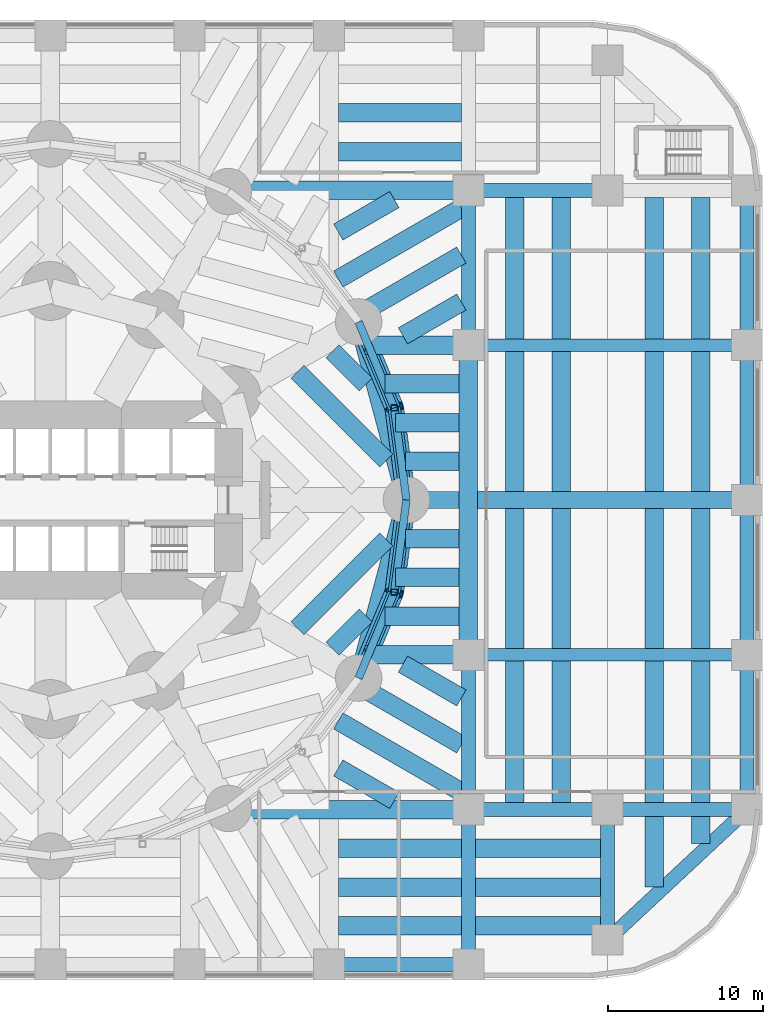
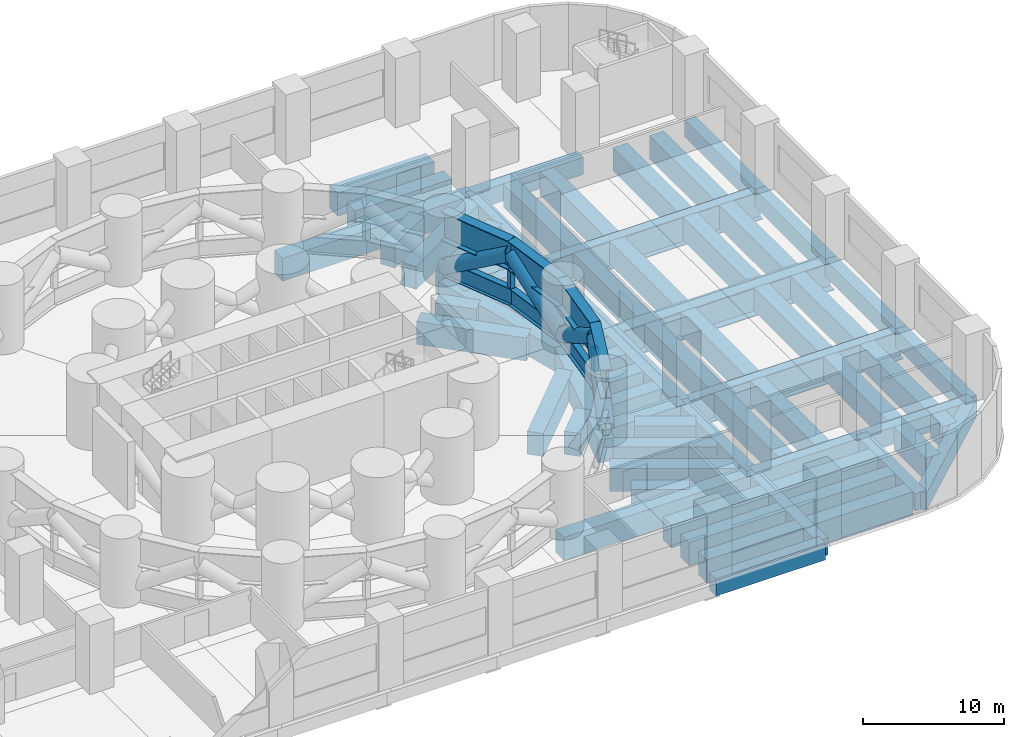
# One storey, part 6 of 14: 75 beams, 6 members.
"""IFC4 building model written with IfcOpenShell, lengths in metres."""

from ifc_helpers import new_model, si_unit, direction, frame, origin, origin_2d, place, context, subcontext, project, spatial, rectangle, hollow_rectangle, hollow_circle, i_section, extrude, material, material_profile, profile_set, type_object, element, save


model = new_model("IFC4")

# Units and contexts
model_context = context("Model", 3, precision=1e-05, world=origin(), true_north=direction((0.0, 1.0)))
body_context = subcontext(model_context, "Body", "Model", "MODEL_VIEW")
ifc_project = project(units=[si_unit("LENGTHUNIT", "METRE"), si_unit("AREAUNIT", "SQUARE_METRE"), si_unit("VOLUMEUNIT", "CUBIC_METRE"), si_unit("PLANEANGLEUNIT", "RADIAN"), si_unit("MASSUNIT", "GRAM", prefix="KILO")], contexts=[model_context])

# Site, building, storey
site_placement = place(None, origin())
site = spatial("IfcSite", under=ifc_project, at=site_placement, CompositionType="ELEMENT")
building_placement = place(site_placement, origin())
building = spatial("IfcBuilding", under=site, at=building_placement, Name="Qaws Media Tower", CompositionType="ELEMENT")
storey_placement = place(building_placement, frame((0.0, 0.0, 20.0)))
storey = spatial("IfcBuildingStorey", under=building, at=storey_placement, Name="L03", CompositionType="ELEMENT", Elevation=20.0)

# Beams
ifc_material_1 = material(Name="Concrete C60/75", Category="concrete")
ifc_material_profile_1 = material_profile(ifc_material_1, rectangle(XDim=1.199951171875, YDim=2.0, at=origin_2d()), Name="RC 1200x2000")
ifc_profile_set_1 = profile_set([ifc_material_profile_1], Name="Concrete C60/75")
beam_type_1 = type_object("IfcBeamType", Name="Podium long trimmer beam RC 1200x2000", PredefinedType="BEAM", material=ifc_profile_set_1)
for number, where, z_axis, x_axis, name in (
    (1, (87.0, 30.0, -1.300048828125), (-1.0, 0.0, 0.0), (0.0, -1.0, 0.0), "PB11 beam 9/B to the tower ring"),
    (2, (87.0, 70.0, -1.300048828125), (-1.0, 0.0, 0.0), (0.0, -1.0, 0.0), "PB11 beam 9/F to the tower ring"),
):
    element("IfcBeam", number, at=place(storey_placement, frame(where, z_axis=z_axis, x_axis=x_axis)), inside=storey, type_object=beam_type_1, Name=name, PredefinedType="BEAM", context=body_context, shape_type="SweptSolid", body=[
        extrude(rectangle(XDim=1.199951171875, YDim=2.0, at=origin_2d()), origin(), (0.0, 0.0, 1.0), 15.803955078125),
    ])
beam_1_placement = place(storey_placement, frame((87.0, 40.0, -1.300048828125), z_axis=(0.0, 1.0, 0.0), x_axis=(-1.0, 0.0, 0.0)))
element("IfcBeam", 3, at=beam_1_placement, inside=storey, type_object=beam_type_1, Name="PB11 beam 9/C-9/E", PredefinedType="BEAM", context=body_context, shape_type="SweptSolid", body=[
    extrude(rectangle(XDim=1.199951171875, YDim=2.0, at=origin_2d()), origin(), (0.0, 0.0, 1.0), 20.0),
])
ifc_material_2 = material(Name="Concrete C60/75", Category="concrete")
ifc_material_profile_2 = material_profile(ifc_material_2, rectangle(XDim=1.199951171875, YDim=2.0, at=origin_2d()), Name="RC 1200x2000")
ifc_profile_set_2 = profile_set([ifc_material_profile_2], Name="Concrete C60/75")
beam_type_2 = type_object("IfcBeamType", Name="Podium plant floor edge beam RC 1200x2000", PredefinedType="BEAM", material=ifc_profile_set_2)
for number, where, z_axis, x_axis, name in (
    (4, (83.0, 50.0, -1.300048828125), (-0.258809885148, 0.965928280645, 0.0), (-0.965928280645, -0.258809885148, 0.0), "PB12 beam M01-M02"),
    (5, (79.918701171875, 38.5, -1.300048828125), (0.258809885148, 0.965928280645, 0.0), (-0.965928280645, 0.258809885148, 0.0), "PB12 beam M12-M01"),
):
    element("IfcBeam", number, at=place(storey_placement, frame(where, z_axis=z_axis, x_axis=x_axis)), inside=storey, type_object=beam_type_2, Name=name, PredefinedType="BEAM", context=body_context, shape_type="SweptSolid", body=[
        extrude(rectangle(XDim=1.199951171875, YDim=2.0, at=origin_2d()), origin(), (0.0, 0.0, 1.0), 11.90576171875),
    ])
ifc_material_3 = material(Name="Concrete C60/75", Category="concrete")
ifc_material_profile_3 = material_profile(ifc_material_3, rectangle(XDim=0.89990234375, YDim=1.5, at=origin_2d()), Name="RC 900x1500")
ifc_profile_set_3 = profile_set([ifc_material_profile_3], Name="Concrete C60/75")
beam_type_3 = type_object("IfcBeamType", Name="Podium plant floor girder RC 900x1500", PredefinedType="BEAM", material=ifc_profile_set_3)
for number, where, z_axis, x_axis, name in (
    (6, (78.0, 20.0, -1.050048828125), (1.0, 0.0, 0.0), (0.0, 1.0, 0.0), "PB6 beam 8-9/A"),
    (7, (87.0, 30.0, -1.050048828125), (1.0, 0.0, 0.0), (0.0, 1.0, 0.0), "PB6 beam 9-10/B"),
    (8, (96.0, 30.0, -1.050048828125), (1.0, 0.0, 0.0), (0.0, 1.0, 0.0), "PB6 beam 10-11/B"),
    (9, (87.0, 70.0, -1.050048828125), (1.0, 0.0, 0.0), (0.0, 1.0, 0.0), "PB6 beam 9-10/F"),
):
    element("IfcBeam", number, at=place(storey_placement, frame(where, z_axis=z_axis, x_axis=x_axis)), inside=storey, type_object=beam_type_3, Name=name, PredefinedType="BEAM", context=body_context, shape_type="SweptSolid", body=[
        extrude(rectangle(XDim=0.89990234375, YDim=1.5, at=origin_2d()), origin(), (0.0, 0.0, 1.0), 9.0),
    ])
for number, where, z_axis, x_axis, name in (
    (10, (87.0, 20.0, -1.050048828125), (0.0, 1.0, 0.0), (-1.0, 0.0, 0.0), "PB6 beam 9/A-B"),
    (11, (87.0, 30.0, -1.050048828125), (0.0, 1.0, 0.0), (-1.0, 0.0, 0.0), "PB6 beam 9/B-C"),
    (12, (87.0, 60.0, -1.050048828125), (0.0, 1.0, 0.0), (-1.0, 0.0, 0.0), "PB6 beam 9/E-F"),
):
    element("IfcBeam", number, at=place(storey_placement, frame(where, z_axis=z_axis, x_axis=x_axis)), inside=storey, type_object=beam_type_3, Name=name, PredefinedType="BEAM", context=body_context, shape_type="SweptSolid", body=[
        extrude(rectangle(XDim=0.89990234375, YDim=1.5, at=origin_2d()), origin(), (0.0, 0.0, 1.0), 10.0),
    ])
beam_2_placement = place(storey_placement, frame((96.0, 21.60009765625, -1.050048828125), z_axis=(0.0, 1.0, 0.0), x_axis=(-1.0, 0.0, 0.0)))
element("IfcBeam", 13, at=beam_2_placement, inside=storey, type_object=beam_type_3, Name="PB6 beam 10/A-B", PredefinedType="BEAM", context=body_context, shape_type="SweptSolid", body=[
    extrude(rectangle(XDim=0.89990234375, YDim=1.5, at=origin_2d()), origin(), (0.0, 0.0, 1.0), 8.39990234375),
])
for number, where, z_axis, x_axis, name in (
    (14, (105.0, 30.0, -1.050048828125), (0.0, 1.0, 0.0), (-1.0, 0.0, 0.0), "PB6 beam 11/B-C"),
    (15, (105.0, 40.0, -1.050048828125), (0.0, 1.0, 0.0), (-1.0, 0.0, 0.0), "PB6 beam 11/C-D"),
    (16, (105.0, 50.0, -1.050048828125), (0.0, 1.0, 0.0), (-1.0, 0.0, 0.0), "PB6 beam 11/D-E"),
    (17, (105.0, 60.0, -1.050048828125), (0.0, 1.0, 0.0), (-1.0, 0.0, 0.0), "PB6 beam 11/E-F"),
):
    element("IfcBeam", number, at=place(storey_placement, frame(where, z_axis=z_axis, x_axis=x_axis)), inside=storey, type_object=beam_type_3, Name=name, PredefinedType="BEAM", context=body_context, shape_type="SweptSolid", body=[
        extrude(rectangle(XDim=0.89990234375, YDim=1.5, at=origin_2d()), origin(), (0.0, 0.0, 1.0), 10.0),
    ])
beam_3_placement = place(storey_placement, frame((105.0, 30.0, -1.050048828125), z_axis=(-0.73105922506, -0.682314010889, 0.0), x_axis=(0.682314010889, -0.73105922506, 0.0)))
element("IfcBeam", 18, at=beam_3_placement, inside=storey, type_object=beam_type_3, Name="PB6 beam 11/B-10/A", PredefinedType="BEAM", context=body_context, shape_type="SweptSolid", body=[
    extrude(rectangle(XDim=0.89990234375, YDim=1.5, at=origin_2d()), origin(), (0.0, 0.0, 1.0), 12.310791015625),
])
ifc_material_4 = material(Name="Concrete C60/75", Category="concrete")
ifc_material_profile_4 = material_profile(ifc_material_4, rectangle(XDim=1.199951171875, YDim=2.0, at=origin_2d()), Name="RC 1200x2000")
ifc_profile_set_4 = profile_set([ifc_material_profile_4], Name="Concrete C60/75")
beam_type_4 = type_object("IfcBeamType", Name="Podium secondary beam RC 1200x2000", PredefinedType="BEAM", material=ifc_profile_set_4)
for number, where, z_axis, x_axis, name in (
    (19, (78.60009765625, 22.5, -1.300048828125), (1.0, 0.0, 0.0), (0.0, 1.0, 0.0), "PB7 beam bay 8A line 1"),
    (20, (78.60009765625, 25.0, -1.300048828125), (1.0, 0.0, 0.0), (0.0, 1.0, 0.0), "PB7 beam bay 8A line 2"),
    (21, (78.60009765625, 27.5, -1.300048828125), (1.0, 0.0, 0.0), (0.0, 1.0, 0.0), "PB7 beam bay 8A line 3"),
):
    element("IfcBeam", number, at=place(storey_placement, frame(where, z_axis=z_axis, x_axis=x_axis)), inside=storey, type_object=beam_type_4, Name=name, PredefinedType="BEAM", context=body_context, shape_type="SweptSolid", body=[
        extrude(rectangle(XDim=1.199951171875, YDim=2.0, at=origin_2d()), origin(), (0.0, 0.0, 1.0), 7.949951171875),
    ])
beam_4_placement = place(storey_placement, frame((86.550048828125, 37.220458984375, -1.300048828125), z_axis=(-0.866025157913, 0.500000425862, 0.0), x_axis=(-0.500000425862, -0.866025157913, 0.0)))
element("IfcBeam", 22, at=beam_4_placement, inside=storey, type_object=beam_type_4, Name="PB7 beam bay 8B line 1", PredefinedType="BEAM", context=body_context, shape_type="SweptSolid", body=[
    extrude(rectangle(XDim=1.199951171875, YDim=2.0, at=origin_2d()), origin(), (0.0, 0.0, 1.0), 4.35888671875),
])
beam_5_placement = place(storey_placement, frame((86.550048828125, 34.181396484375, -1.300048828125), z_axis=(-0.866032193116, 0.499988240348, 0.0), x_axis=(-0.499988240348, -0.866032193116, 0.0)))
element("IfcBeam", 23, at=beam_5_placement, inside=storey, type_object=beam_type_4, Name="PB7 beam bay 8B line 2", PredefinedType="BEAM", context=body_context, shape_type="SweptSolid", body=[
    extrude(rectangle(XDim=1.199951171875, YDim=2.0, at=origin_2d()), origin(), (0.0, 0.0, 1.0), 7.394775390625),
])
beam_6_placement = place(storey_placement, frame((86.550048828125, 31.14208984375, -1.300048828125), z_axis=(-0.866028361304, 0.499994877392, 0.0), x_axis=(-0.499994877392, -0.866028361304, 0.0)))
element("IfcBeam", 24, at=beam_6_placement, inside=storey, type_object=beam_type_4, Name="PB7 beam bay 8B line 3", PredefinedType="BEAM", context=body_context, shape_type="SweptSolid", body=[
    extrude(rectangle(XDim=1.199951171875, YDim=2.0, at=origin_2d()), origin(), (0.0, 0.0, 1.0), 9.1796875),
])
beam_7_placement = place(storey_placement, frame((82.224853515625, 30.60009765625, -1.300048828125), z_axis=(-0.866023369196, 0.500003523994, 0.0), x_axis=(-0.500003523994, -0.866023369196, 0.0)))
element("IfcBeam", 25, at=beam_7_placement, inside=storey, type_object=beam_type_4, Name="PB7 beam bay 8B line 4", PredefinedType="BEAM", context=body_context, shape_type="SweptSolid", body=[
    extrude(rectangle(XDim=1.199951171875, YDim=2.0, at=origin_2d()), origin(), (0.0, 0.0, 1.0), 4.185546875),
])
beam_8_placement = place(storey_placement, frame((81.611572265625, 42.5, -1.300048828125), z_axis=(1.0, 0.0, 0.0), x_axis=(0.0, 1.0, 0.0)))
element("IfcBeam", 26, at=beam_8_placement, inside=storey, type_object=beam_type_4, Name="PB7 beam bay 8C line 1", PredefinedType="BEAM", context=body_context, shape_type="SweptSolid", body=[
    extrude(rectangle(XDim=1.199951171875, YDim=2.0, at=origin_2d()), origin(), (0.0, 0.0, 1.0), 4.788330078125),
])
beam_9_placement = place(storey_placement, frame((82.281494140625, 45.0, -1.300048828125), z_axis=(1.0, 0.0, 0.0), x_axis=(0.0, 1.0, 0.0)))
element("IfcBeam", 27, at=beam_9_placement, inside=storey, type_object=beam_type_4, Name="PB7 beam bay 8C line 2", PredefinedType="BEAM", context=body_context, shape_type="SweptSolid", body=[
    extrude(rectangle(XDim=1.199951171875, YDim=2.0, at=origin_2d()), origin(), (0.0, 0.0, 1.0), 4.118408203125),
])
for number, where, z_axis, x_axis, name in (
    (28, (82.951171875, 47.5, -1.300048828125), (1.0, 0.0, 0.0), (0.0, 1.0, 0.0), "PB7 beam bay 8C line 3"),
    (29, (82.951171875, 52.5, -1.300048828125), (1.0, 0.0, 0.0), (0.0, 1.0, 0.0), "PB7 beam bay 8D line 1"),
):
    element("IfcBeam", number, at=place(storey_placement, frame(where, z_axis=z_axis, x_axis=x_axis)), inside=storey, type_object=beam_type_4, Name=name, PredefinedType="BEAM", context=body_context, shape_type="SweptSolid", body=[
        extrude(rectangle(XDim=1.199951171875, YDim=2.0, at=origin_2d()), origin(), (0.0, 0.0, 1.0), 3.44873046875),
    ])
beam_10_placement = place(storey_placement, frame((82.281494140625, 55.0, -1.300048828125), z_axis=(1.0, 0.0, 0.0), x_axis=(0.0, 1.0, 0.0)))
element("IfcBeam", 30, at=beam_10_placement, inside=storey, type_object=beam_type_4, Name="PB7 beam bay 8D line 2", PredefinedType="BEAM", context=body_context, shape_type="SweptSolid", body=[
    extrude(rectangle(XDim=1.199951171875, YDim=2.0, at=origin_2d()), origin(), (0.0, 0.0, 1.0), 4.118408203125),
])
beam_11_placement = place(storey_placement, frame((81.611572265625, 57.5, -1.300048828125), z_axis=(1.0, 0.0, 0.0), x_axis=(0.0, 1.0, 0.0)))
element("IfcBeam", 31, at=beam_11_placement, inside=storey, type_object=beam_type_4, Name="PB7 beam bay 8D line 3", PredefinedType="BEAM", context=body_context, shape_type="SweptSolid", body=[
    extrude(rectangle(XDim=1.199951171875, YDim=2.0, at=origin_2d()), origin(), (0.0, 0.0, 1.0), 4.788330078125),
])
beam_12_placement = place(storey_placement, frame((82.775146484375, 60.60009765625, -1.300048828125), z_axis=(0.866025157913, 0.500000425862, 0.0), x_axis=(-0.500000425862, 0.866025157913, 0.0)))
element("IfcBeam", 32, at=beam_12_placement, inside=storey, type_object=beam_type_4, Name="PB7 beam bay 8E line 1", PredefinedType="BEAM", context=body_context, shape_type="SweptSolid", body=[
    extrude(rectangle(XDim=1.199951171875, YDim=2.0, at=origin_2d()), origin(), (0.0, 0.0, 1.0), 4.35888671875),
])
beam_13_placement = place(storey_placement, frame((80.14599609375, 62.121337890625, -1.300048828125), z_axis=(0.866032193116, 0.499988240348, 0.0), x_axis=(-0.499988240348, 0.866032193116, 0.0)))
element("IfcBeam", 33, at=beam_13_placement, inside=storey, type_object=beam_type_4, Name="PB7 beam bay 8E line 2", PredefinedType="BEAM", context=body_context, shape_type="SweptSolid", body=[
    extrude(rectangle(XDim=1.199951171875, YDim=2.0, at=origin_2d()), origin(), (0.0, 0.0, 1.0), 7.394775390625),
])
beam_14_placement = place(storey_placement, frame((78.60009765625, 64.26806640625, -1.300048828125), z_axis=(0.866028361304, 0.499994877392, 0.0), x_axis=(-0.499994877392, 0.866028361304, 0.0)))
element("IfcBeam", 34, at=beam_14_placement, inside=storey, type_object=beam_type_4, Name="PB7 beam bay 8E line 3", PredefinedType="BEAM", context=body_context, shape_type="SweptSolid", body=[
    extrude(rectangle(XDim=1.199951171875, YDim=2.0, at=origin_2d()), origin(), (0.0, 0.0, 1.0), 9.1796875),
])
beam_15_placement = place(storey_placement, frame((78.60009765625, 67.30712890625, -1.300048828125), z_axis=(0.866023369196, 0.500003523994, 0.0), x_axis=(-0.500003523994, 0.866023369196, 0.0)))
element("IfcBeam", 35, at=beam_15_placement, inside=storey, type_object=beam_type_4, Name="PB7 beam bay 8E line 4", PredefinedType="BEAM", context=body_context, shape_type="SweptSolid", body=[
    extrude(rectangle(XDim=1.199951171875, YDim=2.0, at=origin_2d()), origin(), (0.0, 0.0, 1.0), 4.185546875),
])
for number, where, z_axis, x_axis, name in (
    (36, (78.60009765625, 72.5, -1.300048828125), (1.0, 0.0, 0.0), (0.0, 1.0, 0.0), "PB7 beam bay 8F line 1"),
    (37, (78.60009765625, 75.0, -1.300048828125), (1.0, 0.0, 0.0), (0.0, 1.0, 0.0), "PB7 beam bay 8F line 2"),
):
    element("IfcBeam", number, at=place(storey_placement, frame(where, z_axis=z_axis, x_axis=x_axis)), inside=storey, type_object=beam_type_4, Name=name, PredefinedType="BEAM", context=body_context, shape_type="SweptSolid", body=[
        extrude(rectangle(XDim=1.199951171875, YDim=2.0, at=origin_2d()), origin(), (0.0, 0.0, 1.0), 7.949951171875),
    ])
for number, where, z_axis, x_axis, name in (
    (38, (87.449951171875, 22.5, -1.300048828125), (1.0, 0.0, 0.0), (0.0, 1.0, 0.0), "PB7 beam bay 9A line 1"),
    (39, (87.449951171875, 25.0, -1.300048828125), (1.0, 0.0, 0.0), (0.0, 1.0, 0.0), "PB7 beam bay 9A line 2"),
    (40, (87.449951171875, 27.5, -1.300048828125), (1.0, 0.0, 0.0), (0.0, 1.0, 0.0), "PB7 beam bay 9A line 3"),
):
    element("IfcBeam", number, at=place(storey_placement, frame(where, z_axis=z_axis, x_axis=x_axis)), inside=storey, type_object=beam_type_4, Name=name, PredefinedType="BEAM", context=body_context, shape_type="SweptSolid", body=[
        extrude(rectangle(XDim=1.199951171875, YDim=2.0, at=origin_2d()), origin(), (0.0, 0.0, 1.0), 8.10009765625),
    ])
for number, where, z_axis, x_axis, name in (
    (41, (93.0, 30.449951171875, -1.300048828125), (0.0, 1.0, 0.0), (-1.0, 0.0, 0.0), "PB7 beam bay 9B line 1"),
    (42, (90.0, 30.449951171875, -1.300048828125), (0.0, 1.0, 0.0), (-1.0, 0.0, 0.0), "PB7 beam bay 9B line 2"),
):
    element("IfcBeam", number, at=place(storey_placement, frame(where, z_axis=z_axis, x_axis=x_axis)), inside=storey, type_object=beam_type_4, Name=name, PredefinedType="BEAM", context=body_context, shape_type="SweptSolid", body=[
        extrude(rectangle(XDim=1.199951171875, YDim=2.0, at=origin_2d()), origin(), (0.0, 0.0, 1.0), 9.150146484375),
    ])
for number, where, z_axis, x_axis, name in (
    (43, (93.0, 40.39990234375, -1.300048828125), (0.0, 1.0, 0.0), (-1.0, 0.0, 0.0), "PB7 beam bay 9C line 1"),
    (44, (90.0, 40.39990234375, -1.300048828125), (0.0, 1.0, 0.0), (-1.0, 0.0, 0.0), "PB7 beam bay 9C line 2"),
    (45, (93.0, 50.550048828125, -1.300048828125), (0.0, 1.0, 0.0), (-1.0, 0.0, 0.0), "PB7 beam bay 9D line 1"),
    (46, (90.0, 50.550048828125, -1.300048828125), (0.0, 1.0, 0.0), (-1.0, 0.0, 0.0), "PB7 beam bay 9D line 2"),
):
    element("IfcBeam", number, at=place(storey_placement, frame(where, z_axis=z_axis, x_axis=x_axis)), inside=storey, type_object=beam_type_4, Name=name, PredefinedType="BEAM", context=body_context, shape_type="SweptSolid", body=[
        extrude(rectangle(XDim=1.199951171875, YDim=2.0, at=origin_2d()), origin(), (0.0, 0.0, 1.0), 9.050048828125),
    ])
for number, where, z_axis, x_axis, name in (
    (47, (93.0, 60.39990234375, -1.300048828125), (0.0, 1.0, 0.0), (-1.0, 0.0, 0.0), "PB7 beam bay 9E line 1"),
    (48, (90.0, 60.39990234375, -1.300048828125), (0.0, 1.0, 0.0), (-1.0, 0.0, 0.0), "PB7 beam bay 9E line 2"),
):
    element("IfcBeam", number, at=place(storey_placement, frame(where, z_axis=z_axis, x_axis=x_axis)), inside=storey, type_object=beam_type_4, Name=name, PredefinedType="BEAM", context=body_context, shape_type="SweptSolid", body=[
        extrude(rectangle(XDim=1.199951171875, YDim=2.0, at=origin_2d()), origin(), (0.0, 0.0, 1.0), 9.150146484375),
    ])
beam_16_placement = place(storey_placement, frame((102.0, 27.8154296875, -1.300048828125), z_axis=(0.0, 1.0, 0.0), x_axis=(-1.0, 0.0, 0.0)))
element("IfcBeam", 49, at=beam_16_placement, inside=storey, type_object=beam_type_4, Name="PB7 beam bay 10A line 1", PredefinedType="BEAM", context=body_context, shape_type="SweptSolid", body=[
    extrude(rectangle(XDim=1.199951171875, YDim=2.0, at=origin_2d()), origin(), (0.0, 0.0, 1.0), 1.734619140625),
])
beam_17_placement = place(storey_placement, frame((99.0, 25.015625, -1.300048828125), z_axis=(0.0, 1.0, 0.0), x_axis=(-1.0, 0.0, 0.0)))
element("IfcBeam", 50, at=beam_17_placement, inside=storey, type_object=beam_type_4, Name="PB7 beam bay 10A line 2", PredefinedType="BEAM", context=body_context, shape_type="SweptSolid", body=[
    extrude(rectangle(XDim=1.199951171875, YDim=2.0, at=origin_2d()), origin(), (0.0, 0.0, 1.0), 4.534423828125),
])
for number, where, z_axis, x_axis, name in (
    (51, (102.0, 30.449951171875, -1.300048828125), (0.0, 1.0, 0.0), (-1.0, 0.0, 0.0), "PB7 beam bay 10B line 1"),
    (52, (99.0, 30.449951171875, -1.300048828125), (0.0, 1.0, 0.0), (-1.0, 0.0, 0.0), "PB7 beam bay 10B line 2"),
):
    element("IfcBeam", number, at=place(storey_placement, frame(where, z_axis=z_axis, x_axis=x_axis)), inside=storey, type_object=beam_type_4, Name=name, PredefinedType="BEAM", context=body_context, shape_type="SweptSolid", body=[
        extrude(rectangle(XDim=1.199951171875, YDim=2.0, at=origin_2d()), origin(), (0.0, 0.0, 1.0), 9.150146484375),
    ])
for number, where, z_axis, x_axis, name in (
    (53, (102.0, 40.39990234375, -1.300048828125), (0.0, 1.0, 0.0), (-1.0, 0.0, 0.0), "PB7 beam bay 10C line 1"),
    (54, (99.0, 40.39990234375, -1.300048828125), (0.0, 1.0, 0.0), (-1.0, 0.0, 0.0), "PB7 beam bay 10C line 2"),
    (55, (102.0, 50.550048828125, -1.300048828125), (0.0, 1.0, 0.0), (-1.0, 0.0, 0.0), "PB7 beam bay 10D line 1"),
    (56, (99.0, 50.550048828125, -1.300048828125), (0.0, 1.0, 0.0), (-1.0, 0.0, 0.0), "PB7 beam bay 10D line 2"),
):
    element("IfcBeam", number, at=place(storey_placement, frame(where, z_axis=z_axis, x_axis=x_axis)), inside=storey, type_object=beam_type_4, Name=name, PredefinedType="BEAM", context=body_context, shape_type="SweptSolid", body=[
        extrude(rectangle(XDim=1.199951171875, YDim=2.0, at=origin_2d()), origin(), (0.0, 0.0, 1.0), 9.050048828125),
    ])
for number, where, z_axis, x_axis, name in (
    (57, (102.0, 60.39990234375, -1.300048828125), (0.0, 1.0, 0.0), (-1.0, 0.0, 0.0), "PB7 beam bay 10E line 1"),
    (58, (99.0, 60.39990234375, -1.300048828125), (0.0, 1.0, 0.0), (-1.0, 0.0, 0.0), "PB7 beam bay 10E line 2"),
):
    element("IfcBeam", number, at=place(storey_placement, frame(where, z_axis=z_axis, x_axis=x_axis)), inside=storey, type_object=beam_type_4, Name=name, PredefinedType="BEAM", context=body_context, shape_type="SweptSolid", body=[
        extrude(rectangle(XDim=1.199951171875, YDim=2.0, at=origin_2d()), origin(), (0.0, 0.0, 1.0), 9.150146484375),
    ])
beam_18_placement = place(storey_placement, frame((80.3818359375, 57.453125, -1.300048828125), z_axis=(-0.707146936034, 0.707066624059, 0.0), x_axis=(-0.707066624059, -0.707146936034, 0.0)))
element("IfcBeam", 59, at=beam_18_placement, inside=storey, type_object=beam_type_4, Name="PB7 beam bay T01 line 1", PredefinedType="BEAM", context=body_context, shape_type="SweptSolid", body=[
    extrude(rectangle(XDim=1.199951171875, YDim=2.0, at=origin_2d()), origin(), (0.0, 0.0, 1.0), 3.039794921875),
])
beam_19_placement = place(storey_placement, frame((81.693603515625, 52.5576171875, -1.300048828125), z_axis=(-0.707106781187, 0.707106781187, 0.0), x_axis=(-0.707106781187, -0.707106781187, 0.0)))
element("IfcBeam", 60, at=beam_19_placement, inside=storey, type_object=beam_type_4, Name="PB7 beam bay T01 line 2", PredefinedType="BEAM", context=body_context, shape_type="SweptSolid", body=[
    extrude(rectangle(XDim=1.199951171875, YDim=2.0, at=origin_2d()), origin(), (0.0, 0.0, 1.0), 8.108154296875),
])
beam_20_placement = place(storey_placement, frame((78.232177734375, 40.3974609375, -1.300048828125), z_axis=(0.707146936034, 0.707066624059, 0.0), x_axis=(-0.707066624059, 0.707146936034, 0.0)))
element("IfcBeam", 61, at=beam_20_placement, inside=storey, type_object=beam_type_4, Name="PB7 beam bay T12 line 1", PredefinedType="BEAM", context=body_context, shape_type="SweptSolid", body=[
    extrude(rectangle(XDim=1.199951171875, YDim=2.0, at=origin_2d()), origin(), (0.0, 0.0, 1.0), 3.039794921875),
])
beam_21_placement = place(storey_placement, frame((75.960205078125, 41.708984375, -1.300048828125), z_axis=(0.707106781187, 0.707106781187, 0.0), x_axis=(-0.707106781187, 0.707106781187, 0.0)))
element("IfcBeam", 62, at=beam_21_placement, inside=storey, type_object=beam_type_4, Name="PB7 beam bay T12 line 2", PredefinedType="BEAM", context=body_context, shape_type="SweptSolid", body=[
    extrude(rectangle(XDim=1.199951171875, YDim=2.0, at=origin_2d()), origin(), (0.0, 0.0, 1.0), 8.108154296875),
])
ifc_material_5 = material(Name="Concrete C60/75", Category="concrete")
ifc_material_profile_5 = material_profile(ifc_material_5, rectangle(XDim=1.199951171875, YDim=2.0, at=origin_2d()), Name="RC 1200x2000")
ifc_profile_set_5 = profile_set([ifc_material_profile_5], Name="Concrete C60/75")
beam_type_5 = type_object("IfcBeamType", Name="Podium trimmer beam RC 1200x2000", PredefinedType="BEAM", material=ifc_profile_set_5)
for number, where, z_axis, x_axis, name in (
    (63, (87.0, 40.0, -1.300048828125), (-1.0, 0.0, 0.0), (0.0, -1.0, 0.0), "PB4 beam 9/C to the tower ring"),
    (64, (87.0, 60.0, -1.300048828125), (-1.0, 0.0, 0.0), (0.0, -1.0, 0.0), "PB4 beam 9/E to the tower ring"),
):
    element("IfcBeam", number, at=place(storey_placement, frame(where, z_axis=z_axis, x_axis=x_axis)), inside=storey, type_object=beam_type_5, Name=name, PredefinedType="BEAM", context=body_context, shape_type="SweptSolid", body=[
        extrude(rectangle(XDim=1.199951171875, YDim=2.0, at=origin_2d()), origin(), (0.0, 0.0, 1.0), 6.679443359375),
    ])
ifc_material_6 = material(Name="Steel S355", Category="steel")
ifc_material_profile_6 = material_profile(ifc_material_6, i_section(OverallWidth=1.10009765625, OverallDepth=2.5, WebThickness=0.031982421875, FlangeThickness=0.080078125, at=origin_2d()), Name="PG 2500x1100")
ifc_profile_set_6 = profile_set([ifc_material_profile_6], Name="Steel S355")
beam_type_6 = type_object("IfcBeamType", Name="Studio girder PG 2500x1100", PredefinedType="BEAM", material=ifc_profile_set_6)
beam_22_placement = place(storey_placement, frame((83.0, 50.0, -1.550048828125), z_axis=(1.0, 0.0, 0.0), x_axis=(0.0, 1.0, 0.0)))
element("IfcBeam", 65, at=beam_22_placement, inside=storey, type_object=beam_type_6, Name="SG2 studio B girder on grid D", PredefinedType="BEAM", context=body_context, shape_type="SweptSolid", body=[
    extrude(i_section(OverallWidth=1.10009765625, OverallDepth=2.5, WebThickness=0.031982421875, FlangeThickness=0.080078125, at=origin_2d()), origin(), (0.0, 0.0, 1.0), 22.0),
])
ifc_material_7 = material(Name="Steel S355", Category="steel")
ifc_material_profile_7 = material_profile(ifc_material_7, i_section(OverallWidth=0.800048828125, OverallDepth=2.5, WebThickness=0.030029296875, FlangeThickness=0.06494140625, at=origin_2d()), Name="PG 2500x800")
ifc_profile_set_7 = profile_set([ifc_material_profile_7], Name="Steel S355")
beam_type_7 = type_object("IfcBeamType", Name="Studio girder PG 2500x800", PredefinedType="BEAM", material=ifc_profile_set_7)
for number, where, z_axis, x_axis, name in (
    (66, (87.0, 40.0, -1.550048828125), (1.0, 0.0, 0.0), (0.0, 1.0, 0.0), "SG1 studio B girder on grid C"),
    (67, (87.0, 60.0, -1.550048828125), (1.0, 0.0, 0.0), (0.0, 1.0, 0.0), "SG1 studio B girder on grid E"),
):
    element("IfcBeam", number, at=place(storey_placement, frame(where, z_axis=z_axis, x_axis=x_axis)), inside=storey, type_object=beam_type_7, Name=name, PredefinedType="BEAM", context=body_context, shape_type="SweptSolid", body=[
        extrude(i_section(OverallWidth=0.800048828125, OverallDepth=2.5, WebThickness=0.030029296875, FlangeThickness=0.06494140625, at=origin_2d()), origin(), (0.0, 0.0, 1.0), 18.0),
    ])
ifc_material_8 = material(Name="Steel S355", Category="steel")
ifc_material_profile_8 = material_profile(ifc_material_8, i_section(OverallWidth=0.5, OverallDepth=1.5, WebThickness=0.02001953125, FlangeThickness=0.0400390625, at=origin_2d()), Name="PG 1500x500")
ifc_profile_set_8 = profile_set([ifc_material_profile_8], Name="Steel S355")
beam_type_8 = type_object("IfcBeamType", Name="Transfer bottom chord PG 1500x500", PredefinedType="BEAM", material=ifc_profile_set_8)
for number, where, z_axis, x_axis, name in (
    (68, (83.0, 50.0, 0.75), (-0.130522880875, 0.991445297315, 0.0), (-0.991445297315, -0.130522880875, 0.0), "TG2 transfer bottom chord N01-N02"),
    (69, (82.21630859375, 55.952880859375, 0.75), (-0.382671411433, 0.923884511653, 0.0), (-0.923884511653, -0.382671411433, 0.0), "TG2 transfer bottom chord N02-N03"),
    (70, (79.918701171875, 38.5, 0.75), (0.382671411433, 0.923884511653, 0.0), (-0.923884511653, 0.382671411433, 0.0), "TG2 transfer bottom chord N23-N24"),
    (71, (82.21630859375, 44.047119140625, 0.75), (0.130522880875, 0.991445297315, 0.0), (-0.991445297315, 0.130522880875, 0.0), "TG2 transfer bottom chord N24-N01"),
):
    element("IfcBeam", number, at=place(storey_placement, frame(where, z_axis=z_axis, x_axis=x_axis)), inside=storey, type_object=beam_type_8, Name=name, PredefinedType="BEAM", context=body_context, shape_type="SweptSolid", body=[
        extrude(i_section(OverallWidth=0.5, OverallDepth=1.5, WebThickness=0.02001953125, FlangeThickness=0.0400390625, at=origin_2d()), origin(), (0.0, 0.0, 1.0), 6.004150390625),
    ])
ifc_material_9 = material(Name="Steel S460", Category="steel")
ifc_material_profile_9 = material_profile(ifc_material_9, i_section(OverallWidth=0.800048828125, OverallDepth=2.5, WebThickness=0.030029296875, FlangeThickness=0.06494140625, at=origin_2d()), Name="PG 2500x800")
ifc_profile_set_9 = profile_set([ifc_material_profile_9], Name="Steel S460")
beam_type_9 = type_object("IfcBeamType", Name="Transfer ring girder PG 2500x800", PredefinedType="BEAM", material=ifc_profile_set_9)
for number, where, z_axis, x_axis, name in (
    (72, (83.0, 50.0, 4.449951171875), (-0.130522880875, 0.991445297315, 0.0), (-0.991445297315, -0.130522880875, 0.0), "TG1 transfer ring girder N01-N02"),
    (73, (82.21630859375, 55.952880859375, 4.449951171875), (-0.382671411433, 0.923884511653, 0.0), (-0.923884511653, -0.382671411433, 0.0), "TG1 transfer ring girder N02-N03"),
    (74, (79.918701171875, 38.5, 4.449951171875), (0.382671411433, 0.923884511653, 0.0), (-0.923884511653, 0.382671411433, 0.0), "TG1 transfer ring girder N23-N24"),
    (75, (82.21630859375, 44.047119140625, 4.449951171875), (0.130522880875, 0.991445297315, 0.0), (-0.991445297315, 0.130522880875, 0.0), "TG1 transfer ring girder N24-N01"),
):
    element("IfcBeam", number, at=place(storey_placement, frame(where, z_axis=z_axis, x_axis=x_axis)), inside=storey, type_object=beam_type_9, Name=name, PredefinedType="BEAM", context=body_context, shape_type="SweptSolid", body=[
        extrude(i_section(OverallWidth=0.800048828125, OverallDepth=2.5, WebThickness=0.030029296875, FlangeThickness=0.06494140625, at=origin_2d()), origin(), (0.0, 0.0, 1.0), 6.004150390625),
    ])

# Members
ifc_material_10 = material(Name="Steel S460", Category="steel")
ifc_material_profile_10 = material_profile(ifc_material_10, hollow_circle(Radius=0.609619140625, WallThickness=0.06005859375, at=origin_2d()), Name="CHS 1219x60")
ifc_profile_set_10 = profile_set([ifc_material_profile_10], Name="Steel S460")
member_type_1 = type_object("IfcMemberType", Name="Transfer truss diagonal CHS 1219x60", PredefinedType="BRACE", material=ifc_profile_set_10)
member_1_placement = place(storey_placement, frame((83.0, 50.0, 0.75), z_axis=(-0.111119318297, 0.844056803129, 0.524614725482), x_axis=(-0.991445297315, -0.130522880875, 0.0)))
element("IfcMember", 76, at=member_1_placement, inside=storey, type_object=member_type_1, Name="TT1 transfer diagonal M01a", PredefinedType="BRACE", context=body_context, shape_type="SweptSolid", body=[
    extrude(hollow_circle(Radius=0.609619140625, WallThickness=0.06005859375, at=origin_2d()), origin(), (0.0, 0.0, 1.0), 7.052734375),
])
for number, where, z_axis, x_axis, name in (
    (77, (79.918701171875, 61.5, 0.75), (0.32578160724, -0.786535320167, 0.524622277943), (0.923884511653, 0.382671411433, 0.0), "TT1 transfer diagonal M01b"),
    (78, (79.918701171875, 38.5, 0.75), (0.32578160724, 0.786535320167, 0.524622277943), (-0.923884511653, 0.382671411433, 0.0), "TT1 transfer diagonal M12a"),
):
    element("IfcMember", number, at=place(storey_placement, frame(where, z_axis=z_axis, x_axis=x_axis)), inside=storey, type_object=member_type_1, Name=name, PredefinedType="BRACE", context=body_context, shape_type="SweptSolid", body=[
        extrude(hollow_circle(Radius=0.609619140625, WallThickness=0.06005859375, at=origin_2d()), origin(), (0.0, 0.0, 1.0), 7.052490234375),
    ])
member_2_placement = place(storey_placement, frame((83.0, 50.0, 0.75), z_axis=(-0.111119318297, -0.844056803129, 0.524614725482), x_axis=(0.991445297315, -0.130522880875, 0.0)))
element("IfcMember", 79, at=member_2_placement, inside=storey, type_object=member_type_1, Name="TT1 transfer diagonal M12b", PredefinedType="BRACE", context=body_context, shape_type="SweptSolid", body=[
    extrude(hollow_circle(Radius=0.609619140625, WallThickness=0.06005859375, at=origin_2d()), origin(), (0.0, 0.0, 1.0), 7.052734375),
])
ifc_material_11 = material(Name="Steel S355", Category="steel")
ifc_material_profile_11 = material_profile(ifc_material_11, hollow_rectangle(XDim=0.39990234375, YDim=0.39990234375, WallThickness=0.02001953125, at=origin_2d()), Name="SHS 400x400x20")
ifc_profile_set_11 = profile_set([ifc_material_profile_11], Name="Steel S355")
member_type_2 = type_object("IfcMemberType", Name="Transfer truss post SHS 400x400x20", PredefinedType="STRUT", material=ifc_profile_set_11)
for number, where, z_axis, x_axis, name in (
    (80, (82.21630859375, 55.952880859375, 1.5), (0.0, 0.0, 1.0), (1.0, 0.0, 0.0), "TT2 transfer post N02"),
    (81, (82.21630859375, 44.047119140625, 1.5), (0.0, 0.0, 1.0), (1.0, 0.0, 0.0), "TT2 transfer post N24"),
):
    element("IfcMember", number, at=place(storey_placement, frame(where, z_axis=z_axis, x_axis=x_axis)), inside=storey, type_object=member_type_2, Name=name, PredefinedType="STRUT", context=body_context, shape_type="SweptSolid", body=[
        extrude(hollow_rectangle(XDim=0.39990234375, YDim=0.39990234375, WallThickness=0.02001953125, at=origin_2d()), origin(), (0.0, 0.0, 1.0), 2.050048828125),
    ])

save(model, "model.ifc")
